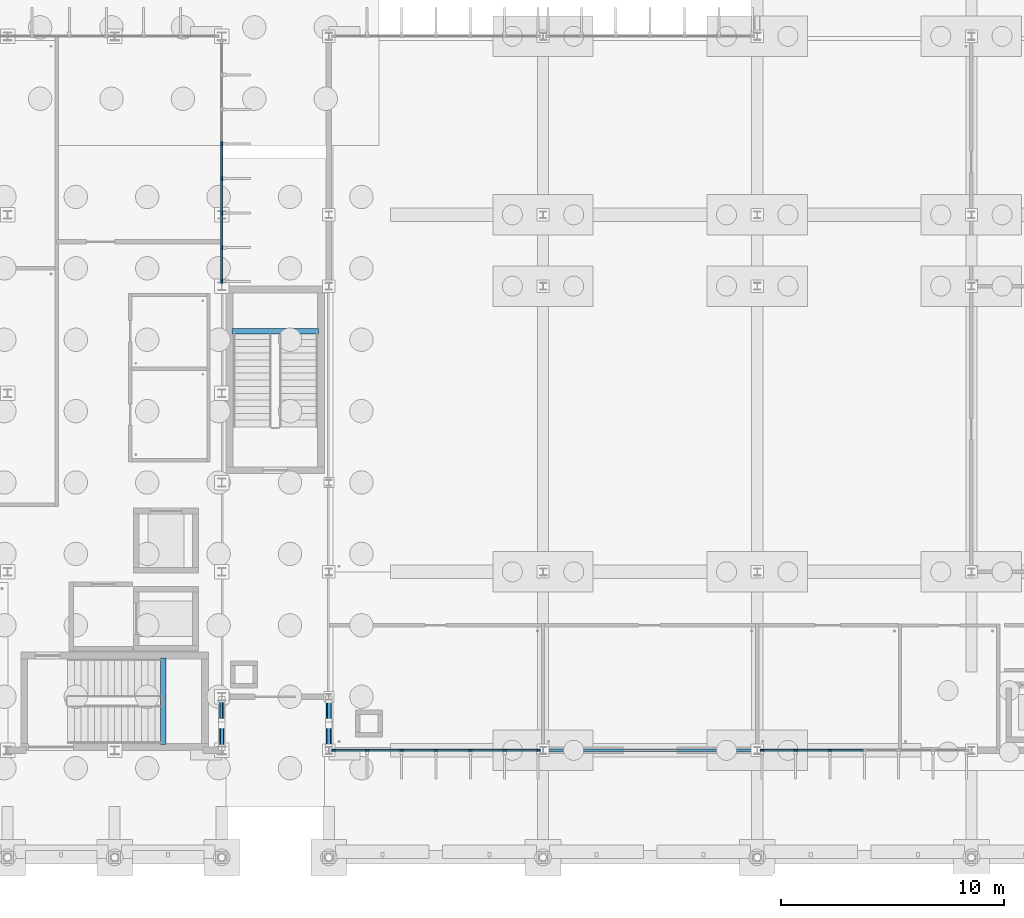
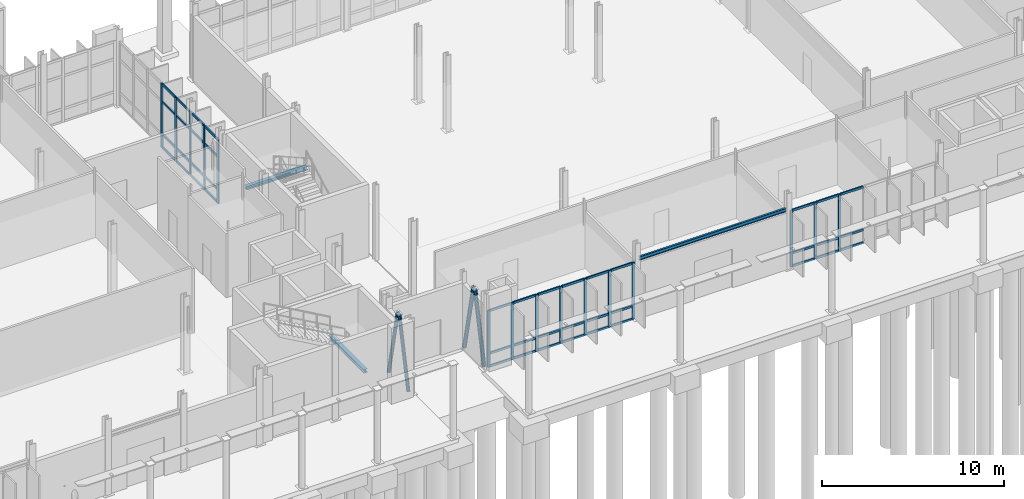
# One storey, part 23 of 111: 62 members, 3 beams, 3 elements without a shape of their own.
"""IFC4 building model written with IfcOpenShell, lengths in metres."""

from ifc_helpers import new_model, si_unit, direction, frame, origin, origin_2d, place, context, subcontext, project, spatial, rectangle, hollow_circle, i_section, extrude, material, material_profile, profile_set, type_object, element, aggregate, save


model = new_model("IFC4")

# Units and contexts
model_context = context("Model", 3, precision=1e-05, world=origin(), true_north=direction((0.0, 1.0)))
body_context = subcontext(model_context, "Body", "Model", "MODEL_VIEW")
ifc_project = project(units=[si_unit("LENGTHUNIT", "METRE"), si_unit("AREAUNIT", "SQUARE_METRE"), si_unit("VOLUMEUNIT", "CUBIC_METRE"), si_unit("PLANEANGLEUNIT", "RADIAN"), si_unit("MASSUNIT", "GRAM", prefix="KILO")], contexts=[model_context])

# Site, building, storey
site_placement = place(None, origin())
site = spatial("IfcSite", under=ifc_project, at=site_placement, CompositionType="ELEMENT")
building_placement = place(site_placement, origin())
building = spatial("IfcBuilding", under=site, at=building_placement, Name="Dunescarp Central Library", CompositionType="ELEMENT")
storey_placement = place(building_placement, origin())
storey = spatial("IfcBuildingStorey", under=building, at=storey_placement, Name="L00", CompositionType="ELEMENT", Elevation=0.0)

# Curtain wall, members
ifc_material_1 = material(Name="Marine-grade anodised aluminium 6063-T6", Category="aluminium")
curtain_wall_type = type_object("IfcCurtainWallType", Name="ARC-CW-STICK", PredefinedType="NOTDEFINED", material=ifc_material_1)
curtain_wall_1_placement = place(storey_placement, origin())
curtain_wall_1 = element("IfcCurtainWall", 1, at=curtain_wall_1_placement, inside=storey, type_object=curtain_wall_type, Name="L00 curtain wall CW-V1-005", PredefinedType="NOTDEFINED")
ifc_material_profile_1 = material_profile(ifc_material_1, rectangle(XDim=0.080078125, YDim=0.179931640625, at=origin_2d()), Name="AL 80x180")
ifc_profile_set_1 = profile_set([ifc_material_profile_1], Name="Marine-grade anodised aluminium 6063-T6")
member_type_1 = type_object("IfcMemberType", Name="ARC-CWM-180", PredefinedType="MULLION", material=ifc_profile_set_1)
member_1_placement = place(storey_placement, frame((33.60009765625, 31.97509765625, 0.0), z_axis=(0.0, 0.0, 1.0), x_axis=(1.0, 0.0, 0.0)))
member_1 = element("IfcMember", 2, at=member_1_placement, type_object=member_type_1, Name="CW-V1-005 mullion 4", PredefinedType="MULLION", context=body_context, shape_type="SweptSolid", body=[
    extrude(rectangle(XDim=0.080078125, YDim=0.179931640625, at=origin_2d()), origin(), (0.0, 0.0, 1.0), 4.304931640625),
])
member_2_placement = place(storey_placement, frame((33.60009765625, 30.425048828125, 0.0), z_axis=(0.0, 0.0, 1.0), x_axis=(1.0, 0.0, 0.0)))
member_2 = element("IfcMember", 3, at=member_2_placement, type_object=member_type_1, Name="CW-V1-005 mullion 5", PredefinedType="MULLION", context=body_context, shape_type="SweptSolid", body=[
    extrude(rectangle(XDim=0.080078125, YDim=0.179931640625, at=origin_2d()), origin(), (0.0, 0.0, 1.0), 4.304931640625),
])
member_3_placement = place(storey_placement, frame((33.60009765625, 28.875, 0.0), z_axis=(0.0, 0.0, 1.0), x_axis=(1.0, 0.0, 0.0)))
member_3 = element("IfcMember", 4, at=member_3_placement, type_object=member_type_1, Name="CW-V1-005 mullion 6", PredefinedType="MULLION", context=body_context, shape_type="SweptSolid", body=[
    extrude(rectangle(XDim=0.080078125, YDim=0.179931640625, at=origin_2d()), origin(), (0.0, 0.0, 1.0), 4.304931640625),
])
member_4_placement = place(storey_placement, frame((33.60009765625, 27.324951171875, 0.0), z_axis=(0.0, 0.0, 1.0), x_axis=(1.0, 0.0, 0.0)))
member_4 = element("IfcMember", 5, at=member_4_placement, type_object=member_type_1, Name="CW-V1-005 mullion 7", PredefinedType="MULLION", context=body_context, shape_type="SweptSolid", body=[
    extrude(rectangle(XDim=0.080078125, YDim=0.179931640625, at=origin_2d()), origin(), (0.0, 0.0, 1.0), 4.304931640625),
])
member_5_placement = place(storey_placement, frame((33.60009765625, 25.81494140625, 0.0), z_axis=(0.0, 0.0, 1.0), x_axis=(1.0, 0.0, 0.0)))
member_5 = element("IfcMember", 6, at=member_5_placement, type_object=member_type_1, Name="CW-V1-005 mullion 8", PredefinedType="MULLION", context=body_context, shape_type="SweptSolid", body=[
    extrude(rectangle(XDim=0.080078125, YDim=0.179931640625, at=origin_2d()), origin(), (0.0, 0.0, 1.0), 4.304931640625),
])

curtain_wall_2_placement = place(storey_placement, origin())
curtain_wall_2 = element("IfcCurtainWall", 7, at=curtain_wall_2_placement, inside=storey, type_object=curtain_wall_type, Name="L00 curtain wall CW-V2-044", PredefinedType="NOTDEFINED")
member_6_placement = place(storey_placement, frame((47.784912109375, 4.800048828125, 0.0), z_axis=(0.0, 0.0, 1.0), x_axis=(0.0, -1.0, 0.0)))
member_6 = element("IfcMember", 8, at=member_6_placement, type_object=member_type_1, Name="CW-V2-044 mullion 1", PredefinedType="MULLION", context=body_context, shape_type="SweptSolid", body=[
    extrude(rectangle(XDim=0.080078125, YDim=0.179931640625, at=origin_2d()), origin(), (0.0, 0.0, 1.0), 3.804931640625),
])
member_7_placement = place(storey_placement, frame((46.283447265625, 4.800048828125, 0.0), z_axis=(0.0, 0.0, 1.0), x_axis=(0.0, -1.0, 0.0)))
member_7 = element("IfcMember", 9, at=member_7_placement, type_object=member_type_1, Name="CW-V2-044 mullion 2", PredefinedType="MULLION", context=body_context, shape_type="SweptSolid", body=[
    extrude(rectangle(XDim=0.080078125, YDim=0.179931640625, at=origin_2d()), origin(), (0.0, 0.0, 1.0), 3.804931640625),
])
member_8_placement = place(storey_placement, frame((44.74169921875, 4.800048828125, 0.0), z_axis=(0.0, 0.0, 1.0), x_axis=(0.0, -1.0, 0.0)))
member_8 = element("IfcMember", 10, at=member_8_placement, type_object=member_type_1, Name="CW-V2-044 mullion 3", PredefinedType="MULLION", context=body_context, shape_type="SweptSolid", body=[
    extrude(rectangle(XDim=0.080078125, YDim=0.179931640625, at=origin_2d()), origin(), (0.0, 0.0, 1.0), 3.804931640625),
])
member_9_placement = place(storey_placement, frame((43.199951171875, 4.800048828125, 0.0), z_axis=(0.0, 0.0, 1.0), x_axis=(0.0, -1.0, 0.0)))
member_9 = element("IfcMember", 11, at=member_9_placement, type_object=member_type_1, Name="CW-V2-044 mullion 4", PredefinedType="MULLION", context=body_context, shape_type="SweptSolid", body=[
    extrude(rectangle(XDim=0.080078125, YDim=0.179931640625, at=origin_2d()), origin(), (0.0, 0.0, 1.0), 3.804931640625),
])
member_10_placement = place(storey_placement, frame((41.658447265625, 4.800048828125, 0.0), z_axis=(0.0, 0.0, 1.0), x_axis=(0.0, -1.0, 0.0)))
member_10 = element("IfcMember", 12, at=member_10_placement, type_object=member_type_1, Name="CW-V2-044 mullion 5", PredefinedType="MULLION", context=body_context, shape_type="SweptSolid", body=[
    extrude(rectangle(XDim=0.080078125, YDim=0.179931640625, at=origin_2d()), origin(), (0.0, 0.0, 1.0), 3.804931640625),
])
member_11_placement = place(storey_placement, frame((40.11669921875, 4.800048828125, 0.0), z_axis=(0.0, 0.0, 1.0), x_axis=(0.0, -1.0, 0.0)))
member_11 = element("IfcMember", 13, at=member_11_placement, type_object=member_type_1, Name="CW-V2-044 mullion 6", PredefinedType="MULLION", context=body_context, shape_type="SweptSolid", body=[
    extrude(rectangle(XDim=0.080078125, YDim=0.179931640625, at=origin_2d()), origin(), (0.0, 0.0, 1.0), 3.804931640625),
])
member_12_placement = place(storey_placement, frame((38.614990234375, 4.800048828125, 0.0), z_axis=(0.0, 0.0, 1.0), x_axis=(0.0, -1.0, 0.0)))
member_12 = element("IfcMember", 14, at=member_12_placement, type_object=member_type_1, Name="CW-V2-044 mullion 7", PredefinedType="MULLION", context=body_context, shape_type="SweptSolid", body=[
    extrude(rectangle(XDim=0.080078125, YDim=0.179931640625, at=origin_2d()), origin(), (0.0, 0.0, 1.0), 3.804931640625),
])

curtain_wall_3_placement = place(storey_placement, origin())
curtain_wall_3 = element("IfcCurtainWall", 15, at=curtain_wall_3_placement, inside=storey, type_object=curtain_wall_type, Name="L00 curtain wall CW-V2-045", PredefinedType="NOTDEFINED")
member_13_placement = place(storey_placement, frame((60.8583984375, 4.800048828125, 0.0), z_axis=(0.0, 0.0, 1.0), x_axis=(0.0, -1.0, 0.0)))
member_13 = element("IfcMember", 16, at=member_13_placement, type_object=member_type_1, Name="CW-V2-045 mullion 5", PredefinedType="MULLION", context=body_context, shape_type="SweptSolid", body=[
    extrude(rectangle(XDim=0.080078125, YDim=0.179931640625, at=origin_2d()), origin(), (0.0, 0.0, 1.0), 3.804931640625),
])
member_14_placement = place(storey_placement, frame((59.316650390625, 4.800048828125, 0.0), z_axis=(0.0, 0.0, 1.0), x_axis=(0.0, -1.0, 0.0)))
member_14 = element("IfcMember", 17, at=member_14_placement, type_object=member_type_1, Name="CW-V2-045 mullion 6", PredefinedType="MULLION", context=body_context, shape_type="SweptSolid", body=[
    extrude(rectangle(XDim=0.080078125, YDim=0.179931640625, at=origin_2d()), origin(), (0.0, 0.0, 1.0), 3.804931640625),
])
member_15_placement = place(storey_placement, frame((57.81494140625, 4.800048828125, 0.0), z_axis=(0.0, 0.0, 1.0), x_axis=(0.0, -1.0, 0.0)))
member_15 = element("IfcMember", 18, at=member_15_placement, type_object=member_type_1, Name="CW-V2-045 mullion 7", PredefinedType="MULLION", context=body_context, shape_type="SweptSolid", body=[
    extrude(rectangle(XDim=0.080078125, YDim=0.179931640625, at=origin_2d()), origin(), (0.0, 0.0, 1.0), 3.804931640625),
])

# Member
ifc_material_profile_2 = material_profile(ifc_material_1, rectangle(XDim=0.080078125, YDim=0.14990234375, at=origin_2d()), Name="AL 80x150")
ifc_profile_set_2 = profile_set([ifc_material_profile_2], Name="Marine-grade anodised aluminium 6063-T6")
member_type_2 = type_object("IfcMemberType", Name="ARC-CWT-150", PredefinedType="USERDEFINED", material=ifc_profile_set_2)
member_16_placement = place(storey_placement, frame((33.60009765625, 31.93505859375, 0.0400390625), z_axis=(0.0, -1.0, 0.0), x_axis=(1.0, 0.0, 0.0)))
member_16 = element("IfcMember", 19, at=member_16_placement, type_object=member_type_2, Name="CW-V1-005 transom 4.1", ObjectType="TRANSOM", PredefinedType="USERDEFINED", context=body_context, shape_type="SweptSolid", body=[
    extrude(rectangle(XDim=0.080078125, YDim=0.14990234375, at=origin_2d()), origin(), (0.0, 0.0, 1.0), 1.469970703125),
])

member_17_placement = place(storey_placement, frame((33.60009765625, 31.93505859375, 0.89990234375), z_axis=(0.0, -1.0, 0.0), x_axis=(1.0, 0.0, 0.0)))
member_17 = element("IfcMember", 20, at=member_17_placement, type_object=member_type_2, Name="CW-V1-005 transom 4.2", ObjectType="TRANSOM", PredefinedType="USERDEFINED", context=body_context, shape_type="SweptSolid", body=[
    extrude(rectangle(XDim=0.080078125, YDim=0.14990234375, at=origin_2d()), origin(), (0.0, 0.0, 1.0), 1.469970703125),
])

member_18_placement = place(storey_placement, frame((33.60009765625, 31.93505859375, 3.10009765625), z_axis=(0.0, -1.0, 0.0), x_axis=(1.0, 0.0, 0.0)))
member_18 = element("IfcMember", 21, at=member_18_placement, type_object=member_type_2, Name="CW-V1-005 transom 4.3", ObjectType="TRANSOM", PredefinedType="USERDEFINED", context=body_context, shape_type="SweptSolid", body=[
    extrude(rectangle(XDim=0.080078125, YDim=0.14990234375, at=origin_2d()), origin(), (0.0, 0.0, 1.0), 1.469970703125),
])

member_19_placement = place(storey_placement, frame((33.60009765625, 31.93505859375, 4.264892578125), z_axis=(0.0, -1.0, 0.0), x_axis=(1.0, 0.0, 0.0)))
member_19 = element("IfcMember", 22, at=member_19_placement, type_object=member_type_2, Name="CW-V1-005 transom 4.4", ObjectType="TRANSOM", PredefinedType="USERDEFINED", context=body_context, shape_type="SweptSolid", body=[
    extrude(rectangle(XDim=0.080078125, YDim=0.14990234375, at=origin_2d()), origin(), (0.0, 0.0, 1.0), 1.469970703125),
])

member_20_placement = place(storey_placement, frame((33.60009765625, 30.385009765625, 0.0400390625), z_axis=(0.0, -1.0, 0.0), x_axis=(1.0, 0.0, 0.0)))
member_20 = element("IfcMember", 23, at=member_20_placement, type_object=member_type_2, Name="CW-V1-005 transom 5.1", ObjectType="TRANSOM", PredefinedType="USERDEFINED", context=body_context, shape_type="SweptSolid", body=[
    extrude(rectangle(XDim=0.080078125, YDim=0.14990234375, at=origin_2d()), origin(), (0.0, 0.0, 1.0), 1.469970703125),
])

member_21_placement = place(storey_placement, frame((33.60009765625, 30.385009765625, 0.89990234375), z_axis=(0.0, -1.0, 0.0), x_axis=(1.0, 0.0, 0.0)))
member_21 = element("IfcMember", 24, at=member_21_placement, type_object=member_type_2, Name="CW-V1-005 transom 5.2", ObjectType="TRANSOM", PredefinedType="USERDEFINED", context=body_context, shape_type="SweptSolid", body=[
    extrude(rectangle(XDim=0.080078125, YDim=0.14990234375, at=origin_2d()), origin(), (0.0, 0.0, 1.0), 1.469970703125),
])

member_22_placement = place(storey_placement, frame((33.60009765625, 30.385009765625, 3.10009765625), z_axis=(0.0, -1.0, 0.0), x_axis=(1.0, 0.0, 0.0)))
member_22 = element("IfcMember", 25, at=member_22_placement, type_object=member_type_2, Name="CW-V1-005 transom 5.3", ObjectType="TRANSOM", PredefinedType="USERDEFINED", context=body_context, shape_type="SweptSolid", body=[
    extrude(rectangle(XDim=0.080078125, YDim=0.14990234375, at=origin_2d()), origin(), (0.0, 0.0, 1.0), 1.469970703125),
])

member_23_placement = place(storey_placement, frame((33.60009765625, 30.385009765625, 4.264892578125), z_axis=(0.0, -1.0, 0.0), x_axis=(1.0, 0.0, 0.0)))
member_23 = element("IfcMember", 26, at=member_23_placement, type_object=member_type_2, Name="CW-V1-005 transom 5.4", ObjectType="TRANSOM", PredefinedType="USERDEFINED", context=body_context, shape_type="SweptSolid", body=[
    extrude(rectangle(XDim=0.080078125, YDim=0.14990234375, at=origin_2d()), origin(), (0.0, 0.0, 1.0), 1.469970703125),
])

member_24_placement = place(storey_placement, frame((33.60009765625, 28.8349609375, 0.0400390625), z_axis=(0.0, -1.0, 0.0), x_axis=(1.0, 0.0, 0.0)))
member_24 = element("IfcMember", 27, at=member_24_placement, type_object=member_type_2, Name="CW-V1-005 transom 6.1", ObjectType="TRANSOM", PredefinedType="USERDEFINED", context=body_context, shape_type="SweptSolid", body=[
    extrude(rectangle(XDim=0.080078125, YDim=0.14990234375, at=origin_2d()), origin(), (0.0, 0.0, 1.0), 1.469970703125),
])

member_25_placement = place(storey_placement, frame((33.60009765625, 28.8349609375, 0.89990234375), z_axis=(0.0, -1.0, 0.0), x_axis=(1.0, 0.0, 0.0)))
member_25 = element("IfcMember", 28, at=member_25_placement, type_object=member_type_2, Name="CW-V1-005 transom 6.2", ObjectType="TRANSOM", PredefinedType="USERDEFINED", context=body_context, shape_type="SweptSolid", body=[
    extrude(rectangle(XDim=0.080078125, YDim=0.14990234375, at=origin_2d()), origin(), (0.0, 0.0, 1.0), 1.469970703125),
])

member_26_placement = place(storey_placement, frame((33.60009765625, 28.8349609375, 3.10009765625), z_axis=(0.0, -1.0, 0.0), x_axis=(1.0, 0.0, 0.0)))
member_26 = element("IfcMember", 29, at=member_26_placement, type_object=member_type_2, Name="CW-V1-005 transom 6.3", ObjectType="TRANSOM", PredefinedType="USERDEFINED", context=body_context, shape_type="SweptSolid", body=[
    extrude(rectangle(XDim=0.080078125, YDim=0.14990234375, at=origin_2d()), origin(), (0.0, 0.0, 1.0), 1.469970703125),
])

member_27_placement = place(storey_placement, frame((33.60009765625, 28.8349609375, 4.264892578125), z_axis=(0.0, -1.0, 0.0), x_axis=(1.0, 0.0, 0.0)))
member_27 = element("IfcMember", 30, at=member_27_placement, type_object=member_type_2, Name="CW-V1-005 transom 6.4", ObjectType="TRANSOM", PredefinedType="USERDEFINED", context=body_context, shape_type="SweptSolid", body=[
    extrude(rectangle(XDim=0.080078125, YDim=0.14990234375, at=origin_2d()), origin(), (0.0, 0.0, 1.0), 1.469970703125),
])

member_28_placement = place(storey_placement, frame((33.60009765625, 27.284912109375, 0.0400390625), z_axis=(0.0, -1.0, 0.0), x_axis=(1.0, 0.0, 0.0)))
member_28 = element("IfcMember", 31, at=member_28_placement, type_object=member_type_2, Name="CW-V1-005 transom 7.1", ObjectType="TRANSOM", PredefinedType="USERDEFINED", context=body_context, shape_type="SweptSolid", body=[
    extrude(rectangle(XDim=0.080078125, YDim=0.14990234375, at=origin_2d()), origin(), (0.0, 0.0, 1.0), 1.429931640625),
])

member_29_placement = place(storey_placement, frame((33.60009765625, 27.284912109375, 0.89990234375), z_axis=(0.0, -1.0, 0.0), x_axis=(1.0, 0.0, 0.0)))
member_29 = element("IfcMember", 32, at=member_29_placement, type_object=member_type_2, Name="CW-V1-005 transom 7.2", ObjectType="TRANSOM", PredefinedType="USERDEFINED", context=body_context, shape_type="SweptSolid", body=[
    extrude(rectangle(XDim=0.080078125, YDim=0.14990234375, at=origin_2d()), origin(), (0.0, 0.0, 1.0), 1.429931640625),
])

member_30_placement = place(storey_placement, frame((33.60009765625, 27.284912109375, 3.10009765625), z_axis=(0.0, -1.0, 0.0), x_axis=(1.0, 0.0, 0.0)))
member_30 = element("IfcMember", 33, at=member_30_placement, type_object=member_type_2, Name="CW-V1-005 transom 7.3", ObjectType="TRANSOM", PredefinedType="USERDEFINED", context=body_context, shape_type="SweptSolid", body=[
    extrude(rectangle(XDim=0.080078125, YDim=0.14990234375, at=origin_2d()), origin(), (0.0, 0.0, 1.0), 1.429931640625),
])

member_31_placement = place(storey_placement, frame((33.60009765625, 27.284912109375, 4.264892578125), z_axis=(0.0, -1.0, 0.0), x_axis=(1.0, 0.0, 0.0)))
member_31 = element("IfcMember", 34, at=member_31_placement, type_object=member_type_2, Name="CW-V1-005 transom 7.4", ObjectType="TRANSOM", PredefinedType="USERDEFINED", context=body_context, shape_type="SweptSolid", body=[
    extrude(rectangle(XDim=0.080078125, YDim=0.14990234375, at=origin_2d()), origin(), (0.0, 0.0, 1.0), 1.429931640625),
])

aggregate(curtain_wall_1, [member_1, member_2, member_3, member_4, member_5, member_16, member_17, member_18, member_19, member_20, member_21, member_22, member_23, member_24, member_25, member_26, member_27, member_28, member_29, member_30, member_31])

member_32_placement = place(storey_placement, frame((47.7451171875, 4.800048828125, 0.0400390625), z_axis=(-1.0, 0.0, 0.0), x_axis=(0.0, -1.0, 0.0)))
member_32 = element("IfcMember", 35, at=member_32_placement, type_object=member_type_2, Name="CW-V2-044 transom 1.1", ObjectType="TRANSOM", PredefinedType="USERDEFINED", context=body_context, shape_type="SweptSolid", body=[
    extrude(rectangle(XDim=0.080078125, YDim=0.14990234375, at=origin_2d()), origin(), (0.0, 0.0, 1.0), 1.421875),
])

member_33_placement = place(storey_placement, frame((47.7451171875, 4.800048828125, 0.89990234375), z_axis=(-1.0, 0.0, 0.0), x_axis=(0.0, -1.0, 0.0)))
member_33 = element("IfcMember", 36, at=member_33_placement, type_object=member_type_2, Name="CW-V2-044 transom 1.2", ObjectType="TRANSOM", PredefinedType="USERDEFINED", context=body_context, shape_type="SweptSolid", body=[
    extrude(rectangle(XDim=0.080078125, YDim=0.14990234375, at=origin_2d()), origin(), (0.0, 0.0, 1.0), 1.421875),
])

member_34_placement = place(storey_placement, frame((47.7451171875, 4.800048828125, 3.764892578125), z_axis=(-1.0, 0.0, 0.0), x_axis=(0.0, -1.0, 0.0)))
member_34 = element("IfcMember", 37, at=member_34_placement, type_object=member_type_2, Name="CW-V2-044 transom 1.3", ObjectType="TRANSOM", PredefinedType="USERDEFINED", context=body_context, shape_type="SweptSolid", body=[
    extrude(rectangle(XDim=0.080078125, YDim=0.14990234375, at=origin_2d()), origin(), (0.0, 0.0, 1.0), 1.421875),
])

member_35_placement = place(storey_placement, frame((46.243408203125, 4.800048828125, 0.0400390625), z_axis=(-1.0, 0.0, 0.0), x_axis=(0.0, -1.0, 0.0)))
member_35 = element("IfcMember", 38, at=member_35_placement, type_object=member_type_2, Name="CW-V2-044 transom 2.1", ObjectType="TRANSOM", PredefinedType="USERDEFINED", context=body_context, shape_type="SweptSolid", body=[
    extrude(rectangle(XDim=0.080078125, YDim=0.14990234375, at=origin_2d()), origin(), (0.0, 0.0, 1.0), 1.461669921875),
])

member_36_placement = place(storey_placement, frame((46.243408203125, 4.800048828125, 0.89990234375), z_axis=(-1.0, 0.0, 0.0), x_axis=(0.0, -1.0, 0.0)))
member_36 = element("IfcMember", 39, at=member_36_placement, type_object=member_type_2, Name="CW-V2-044 transom 2.2", ObjectType="TRANSOM", PredefinedType="USERDEFINED", context=body_context, shape_type="SweptSolid", body=[
    extrude(rectangle(XDim=0.080078125, YDim=0.14990234375, at=origin_2d()), origin(), (0.0, 0.0, 1.0), 1.461669921875),
])

member_37_placement = place(storey_placement, frame((46.243408203125, 4.800048828125, 3.764892578125), z_axis=(-1.0, 0.0, 0.0), x_axis=(0.0, -1.0, 0.0)))
member_37 = element("IfcMember", 40, at=member_37_placement, type_object=member_type_2, Name="CW-V2-044 transom 2.3", ObjectType="TRANSOM", PredefinedType="USERDEFINED", context=body_context, shape_type="SweptSolid", body=[
    extrude(rectangle(XDim=0.080078125, YDim=0.14990234375, at=origin_2d()), origin(), (0.0, 0.0, 1.0), 1.461669921875),
])

member_38_placement = place(storey_placement, frame((44.70166015625, 4.800048828125, 0.0400390625), z_axis=(-1.0, 0.0, 0.0), x_axis=(0.0, -1.0, 0.0)))
member_38 = element("IfcMember", 41, at=member_38_placement, type_object=member_type_2, Name="CW-V2-044 transom 3.1", ObjectType="TRANSOM", PredefinedType="USERDEFINED", context=body_context, shape_type="SweptSolid", body=[
    extrude(rectangle(XDim=0.080078125, YDim=0.14990234375, at=origin_2d()), origin(), (0.0, 0.0, 1.0), 1.461669921875),
])

member_39_placement = place(storey_placement, frame((44.70166015625, 4.800048828125, 0.89990234375), z_axis=(-1.0, 0.0, 0.0), x_axis=(0.0, -1.0, 0.0)))
member_39 = element("IfcMember", 42, at=member_39_placement, type_object=member_type_2, Name="CW-V2-044 transom 3.2", ObjectType="TRANSOM", PredefinedType="USERDEFINED", context=body_context, shape_type="SweptSolid", body=[
    extrude(rectangle(XDim=0.080078125, YDim=0.14990234375, at=origin_2d()), origin(), (0.0, 0.0, 1.0), 1.461669921875),
])

member_40_placement = place(storey_placement, frame((44.70166015625, 4.800048828125, 3.764892578125), z_axis=(-1.0, 0.0, 0.0), x_axis=(0.0, -1.0, 0.0)))
member_40 = element("IfcMember", 43, at=member_40_placement, type_object=member_type_2, Name="CW-V2-044 transom 3.3", ObjectType="TRANSOM", PredefinedType="USERDEFINED", context=body_context, shape_type="SweptSolid", body=[
    extrude(rectangle(XDim=0.080078125, YDim=0.14990234375, at=origin_2d()), origin(), (0.0, 0.0, 1.0), 1.461669921875),
])

member_41_placement = place(storey_placement, frame((43.159912109375, 4.800048828125, 0.0400390625), z_axis=(-1.0, 0.0, 0.0), x_axis=(0.0, -1.0, 0.0)))
member_41 = element("IfcMember", 44, at=member_41_placement, type_object=member_type_2, Name="CW-V2-044 transom 4.1", ObjectType="TRANSOM", PredefinedType="USERDEFINED", context=body_context, shape_type="SweptSolid", body=[
    extrude(rectangle(XDim=0.080078125, YDim=0.14990234375, at=origin_2d()), origin(), (0.0, 0.0, 1.0), 1.461669921875),
])

member_42_placement = place(storey_placement, frame((43.159912109375, 4.800048828125, 0.89990234375), z_axis=(-1.0, 0.0, 0.0), x_axis=(0.0, -1.0, 0.0)))
member_42 = element("IfcMember", 45, at=member_42_placement, type_object=member_type_2, Name="CW-V2-044 transom 4.2", ObjectType="TRANSOM", PredefinedType="USERDEFINED", context=body_context, shape_type="SweptSolid", body=[
    extrude(rectangle(XDim=0.080078125, YDim=0.14990234375, at=origin_2d()), origin(), (0.0, 0.0, 1.0), 1.461669921875),
])

member_43_placement = place(storey_placement, frame((43.159912109375, 4.800048828125, 3.764892578125), z_axis=(-1.0, 0.0, 0.0), x_axis=(0.0, -1.0, 0.0)))
member_43 = element("IfcMember", 46, at=member_43_placement, type_object=member_type_2, Name="CW-V2-044 transom 4.3", ObjectType="TRANSOM", PredefinedType="USERDEFINED", context=body_context, shape_type="SweptSolid", body=[
    extrude(rectangle(XDim=0.080078125, YDim=0.14990234375, at=origin_2d()), origin(), (0.0, 0.0, 1.0), 1.461669921875),
])

member_44_placement = place(storey_placement, frame((41.618408203125, 4.800048828125, 0.0400390625), z_axis=(-1.0, 0.0, 0.0), x_axis=(0.0, -1.0, 0.0)))
member_44 = element("IfcMember", 47, at=member_44_placement, type_object=member_type_2, Name="CW-V2-044 transom 5.1", ObjectType="TRANSOM", PredefinedType="USERDEFINED", context=body_context, shape_type="SweptSolid", body=[
    extrude(rectangle(XDim=0.080078125, YDim=0.14990234375, at=origin_2d()), origin(), (0.0, 0.0, 1.0), 1.461669921875),
])

member_45_placement = place(storey_placement, frame((41.618408203125, 4.800048828125, 0.89990234375), z_axis=(-1.0, 0.0, 0.0), x_axis=(0.0, -1.0, 0.0)))
member_45 = element("IfcMember", 48, at=member_45_placement, type_object=member_type_2, Name="CW-V2-044 transom 5.2", ObjectType="TRANSOM", PredefinedType="USERDEFINED", context=body_context, shape_type="SweptSolid", body=[
    extrude(rectangle(XDim=0.080078125, YDim=0.14990234375, at=origin_2d()), origin(), (0.0, 0.0, 1.0), 1.461669921875),
])

member_46_placement = place(storey_placement, frame((41.618408203125, 4.800048828125, 3.764892578125), z_axis=(-1.0, 0.0, 0.0), x_axis=(0.0, -1.0, 0.0)))
member_46 = element("IfcMember", 49, at=member_46_placement, type_object=member_type_2, Name="CW-V2-044 transom 5.3", ObjectType="TRANSOM", PredefinedType="USERDEFINED", context=body_context, shape_type="SweptSolid", body=[
    extrude(rectangle(XDim=0.080078125, YDim=0.14990234375, at=origin_2d()), origin(), (0.0, 0.0, 1.0), 1.461669921875),
])

member_47_placement = place(storey_placement, frame((40.07666015625, 4.800048828125, 0.0400390625), z_axis=(-1.0, 0.0, 0.0), x_axis=(0.0, -1.0, 0.0)))
member_47 = element("IfcMember", 50, at=member_47_placement, type_object=member_type_2, Name="CW-V2-044 transom 6.1", ObjectType="TRANSOM", PredefinedType="USERDEFINED", context=body_context, shape_type="SweptSolid", body=[
    extrude(rectangle(XDim=0.080078125, YDim=0.14990234375, at=origin_2d()), origin(), (0.0, 0.0, 1.0), 1.421630859375),
])

member_48_placement = place(storey_placement, frame((40.07666015625, 4.800048828125, 0.89990234375), z_axis=(-1.0, 0.0, 0.0), x_axis=(0.0, -1.0, 0.0)))
member_48 = element("IfcMember", 51, at=member_48_placement, type_object=member_type_2, Name="CW-V2-044 transom 6.2", ObjectType="TRANSOM", PredefinedType="USERDEFINED", context=body_context, shape_type="SweptSolid", body=[
    extrude(rectangle(XDim=0.080078125, YDim=0.14990234375, at=origin_2d()), origin(), (0.0, 0.0, 1.0), 1.421630859375),
])

member_49_placement = place(storey_placement, frame((40.07666015625, 4.800048828125, 3.764892578125), z_axis=(-1.0, 0.0, 0.0), x_axis=(0.0, -1.0, 0.0)))
member_49 = element("IfcMember", 52, at=member_49_placement, type_object=member_type_2, Name="CW-V2-044 transom 6.3", ObjectType="TRANSOM", PredefinedType="USERDEFINED", context=body_context, shape_type="SweptSolid", body=[
    extrude(rectangle(XDim=0.080078125, YDim=0.14990234375, at=origin_2d()), origin(), (0.0, 0.0, 1.0), 1.421630859375),
])

aggregate(curtain_wall_2, [member_6, member_7, member_8, member_9, member_10, member_11, member_12, member_32, member_33, member_34, member_35, member_36, member_37, member_38, member_39, member_40, member_41, member_42, member_43, member_44, member_45, member_46, member_47, member_48, member_49])

member_50_placement = place(storey_placement, frame((62.360107421875, 4.800048828125, 0.0400390625), z_axis=(-1.0, 0.0, 0.0), x_axis=(0.0, -1.0, 0.0)))
member_50 = element("IfcMember", 53, at=member_50_placement, type_object=member_type_2, Name="CW-V2-045 transom 4.1", ObjectType="TRANSOM", PredefinedType="USERDEFINED", context=body_context, shape_type="SweptSolid", body=[
    extrude(rectangle(XDim=0.080078125, YDim=0.14990234375, at=origin_2d()), origin(), (0.0, 0.0, 1.0), 1.461669921875),
])

member_51_placement = place(storey_placement, frame((62.360107421875, 4.800048828125, 0.89990234375), z_axis=(-1.0, 0.0, 0.0), x_axis=(0.0, -1.0, 0.0)))
member_51 = element("IfcMember", 54, at=member_51_placement, type_object=member_type_2, Name="CW-V2-045 transom 4.2", ObjectType="TRANSOM", PredefinedType="USERDEFINED", context=body_context, shape_type="SweptSolid", body=[
    extrude(rectangle(XDim=0.080078125, YDim=0.14990234375, at=origin_2d()), origin(), (0.0, 0.0, 1.0), 1.461669921875),
])

member_52_placement = place(storey_placement, frame((62.360107421875, 4.800048828125, 3.764892578125), z_axis=(-1.0, 0.0, 0.0), x_axis=(0.0, -1.0, 0.0)))
member_52 = element("IfcMember", 55, at=member_52_placement, type_object=member_type_2, Name="CW-V2-045 transom 4.3", ObjectType="TRANSOM", PredefinedType="USERDEFINED", context=body_context, shape_type="SweptSolid", body=[
    extrude(rectangle(XDim=0.080078125, YDim=0.14990234375, at=origin_2d()), origin(), (0.0, 0.0, 1.0), 1.461669921875),
])

member_53_placement = place(storey_placement, frame((60.818359375, 4.800048828125, 0.0400390625), z_axis=(-1.0, 0.0, 0.0), x_axis=(0.0, -1.0, 0.0)))
member_53 = element("IfcMember", 56, at=member_53_placement, type_object=member_type_2, Name="CW-V2-045 transom 5.1", ObjectType="TRANSOM", PredefinedType="USERDEFINED", context=body_context, shape_type="SweptSolid", body=[
    extrude(rectangle(XDim=0.080078125, YDim=0.14990234375, at=origin_2d()), origin(), (0.0, 0.0, 1.0), 1.461669921875),
])

member_54_placement = place(storey_placement, frame((60.818359375, 4.800048828125, 0.89990234375), z_axis=(-1.0, 0.0, 0.0), x_axis=(0.0, -1.0, 0.0)))
member_54 = element("IfcMember", 57, at=member_54_placement, type_object=member_type_2, Name="CW-V2-045 transom 5.2", ObjectType="TRANSOM", PredefinedType="USERDEFINED", context=body_context, shape_type="SweptSolid", body=[
    extrude(rectangle(XDim=0.080078125, YDim=0.14990234375, at=origin_2d()), origin(), (0.0, 0.0, 1.0), 1.461669921875),
])

member_55_placement = place(storey_placement, frame((60.818359375, 4.800048828125, 3.764892578125), z_axis=(-1.0, 0.0, 0.0), x_axis=(0.0, -1.0, 0.0)))
member_55 = element("IfcMember", 58, at=member_55_placement, type_object=member_type_2, Name="CW-V2-045 transom 5.3", ObjectType="TRANSOM", PredefinedType="USERDEFINED", context=body_context, shape_type="SweptSolid", body=[
    extrude(rectangle(XDim=0.080078125, YDim=0.14990234375, at=origin_2d()), origin(), (0.0, 0.0, 1.0), 1.461669921875),
])

member_56_placement = place(storey_placement, frame((59.276611328125, 4.800048828125, 0.0400390625), z_axis=(-1.0, 0.0, 0.0), x_axis=(0.0, -1.0, 0.0)))
member_56 = element("IfcMember", 59, at=member_56_placement, type_object=member_type_2, Name="CW-V2-045 transom 6.1", ObjectType="TRANSOM", PredefinedType="USERDEFINED", context=body_context, shape_type="SweptSolid", body=[
    extrude(rectangle(XDim=0.080078125, YDim=0.14990234375, at=origin_2d()), origin(), (0.0, 0.0, 1.0), 1.421630859375),
])

member_57_placement = place(storey_placement, frame((59.276611328125, 4.800048828125, 0.89990234375), z_axis=(-1.0, 0.0, 0.0), x_axis=(0.0, -1.0, 0.0)))
member_57 = element("IfcMember", 60, at=member_57_placement, type_object=member_type_2, Name="CW-V2-045 transom 6.2", ObjectType="TRANSOM", PredefinedType="USERDEFINED", context=body_context, shape_type="SweptSolid", body=[
    extrude(rectangle(XDim=0.080078125, YDim=0.14990234375, at=origin_2d()), origin(), (0.0, 0.0, 1.0), 1.421630859375),
])

member_58_placement = place(storey_placement, frame((59.276611328125, 4.800048828125, 3.764892578125), z_axis=(-1.0, 0.0, 0.0), x_axis=(0.0, -1.0, 0.0)))
member_58 = element("IfcMember", 61, at=member_58_placement, type_object=member_type_2, Name="CW-V2-045 transom 6.3", ObjectType="TRANSOM", PredefinedType="USERDEFINED", context=body_context, shape_type="SweptSolid", body=[
    extrude(rectangle(XDim=0.080078125, YDim=0.14990234375, at=origin_2d()), origin(), (0.0, 0.0, 1.0), 1.421630859375),
])

aggregate(curtain_wall_3, [member_13, member_14, member_15, member_50, member_51, member_52, member_53, member_54, member_55, member_56, member_57, member_58])

# Members
ifc_material_2 = material(Name="Steel S355J0", Category="steel")
ifc_material_profile_3 = material_profile(ifc_material_2, hollow_circle(Radius=0.109619140625, WallThickness=0.010009765625, at=origin_2d()), Name="CHS 219.1x10")
ifc_profile_set_3 = profile_set([ifc_material_profile_3], Name="Steel S355J0")
member_type_3 = type_object("IfcMemberType", Name="STR-BR-219", PredefinedType="BRACE", material=ifc_profile_set_3)
for number, where, z_axis, x_axis, name in (
    (62, (33.60009765625, 4.919921875, 0.044921875), (0.0, 0.212651644533, 0.977128076599), (-1.0, 0.0, 0.0), "L00 concentric brace BR-L00-001"),
    (63, (33.60009765625, 7.080078125, 0.044921875), (0.0, -0.212651644533, 0.977128076599), (1.0, 0.0, 0.0), "L00 concentric brace BR-L00-002"),
):
    element("IfcMember", number, at=place(storey_placement, frame(where, z_axis=z_axis, x_axis=x_axis)), inside=storey, type_object=member_type_3, Name=name, PredefinedType="BRACE", context=body_context, shape_type="SweptSolid", body=[
        extrude(hollow_circle(Radius=0.109619140625, WallThickness=0.010009765625, at=origin_2d()), origin(), (0.0, 0.0, 1.0), 4.70263671875),
    ])
ifc_material_profile_4 = material_profile(ifc_material_2, hollow_circle(Radius=0.122314453125, WallThickness=0.010009765625, at=origin_2d()), Name="CHS 244.5x10")
ifc_profile_set_4 = profile_set([ifc_material_profile_4], Name="Steel S355J0")
member_type_4 = type_object("IfcMemberType", Name="STR-BR-244", PredefinedType="BRACE", material=ifc_profile_set_4)
for number, where, z_axis, x_axis, name in (
    (64, (38.39990234375, 4.919921875, 0.044921875), (0.0, 0.212651644533, 0.977128076599), (-1.0, 0.0, 0.0), "L00 concentric brace BR-L00-013"),
    (65, (38.39990234375, 7.080078125, 0.044921875), (0.0, -0.212651644533, 0.977128076599), (1.0, 0.0, 0.0), "L00 concentric brace BR-L00-014"),
):
    element("IfcMember", number, at=place(storey_placement, frame(where, z_axis=z_axis, x_axis=x_axis)), inside=storey, type_object=member_type_4, Name=name, PredefinedType="BRACE", context=body_context, shape_type="SweptSolid", body=[
        extrude(hollow_circle(Radius=0.122314453125, WallThickness=0.010009765625, at=origin_2d()), origin(), (0.0, 0.0, 1.0), 4.70263671875),
    ])

# Beams
ifc_material_3 = material(Name="Steel S355JR", Category="steel")
ifc_material_profile_5 = material_profile(ifc_material_3, i_section(OverallWidth=0.239990234375, OverallDepth=0.22998046875, WebThickness=0.007568359375, FlangeThickness=0.011962890625, at=origin_2d()), Name="HEA 240")
ifc_profile_set_5 = profile_set([ifc_material_profile_5], Name="Steel S355JR")
beam_type_1 = type_object("IfcBeamType", Name="STR-JS-HEA240", PredefinedType="JOIST", material=ifc_profile_set_5)
for number, where, z_axis, x_axis, name in (
    (66, (30.97998046875, 5.06005859375, 2.235107421875), (0.0, 1.0, 0.0), (-1.0, 0.0, 0.0), "L00 ST-1 landing trimmer beam BM-ST-001"),
    (67, (34.06005859375, 23.580078125, 2.235107421875), (1.0, 0.0, 0.0), (0.0, 1.0, 0.0), "L00 ST-2 landing trimmer beam BM-ST-013"),
):
    element("IfcBeam", number, at=place(storey_placement, frame(where, z_axis=z_axis, x_axis=x_axis)), inside=storey, type_object=beam_type_1, Name=name, PredefinedType="BEAM", context=body_context, shape_type="SweptSolid", body=[
        extrude(i_section(OverallWidth=0.239990234375, OverallDepth=0.22998046875, WebThickness=0.007568359375, FlangeThickness=0.011962890625, at=origin_2d()), origin(), (0.0, 0.0, 1.0), 3.8798828125),
    ])
ifc_material_profile_6 = material_profile(ifc_material_3, i_section(OverallWidth=0.1201171875, OverallDepth=0.239990234375, WebThickness=0.006103515625, FlangeThickness=0.009765625, at=origin_2d()), Name="IPE 240")
ifc_profile_set_6 = profile_set([ifc_material_profile_6], Name="Steel S355JR")
beam_type_2 = type_object("IfcBeamType", Name="STR-LN-IPE240", PredefinedType="LINTEL", material=ifc_profile_set_6)
beam_placement = place(storey_placement, frame((48.14697265625, 4.800048828125, 3.949951171875), z_axis=(1.0, 0.0, 0.0), x_axis=(0.0, 1.0, 0.0)))
element("IfcBeam", 68, at=beam_placement, inside=storey, type_object=beam_type_2, Name="L00 structural lintel LN-L00-06", PredefinedType="LINTEL", context=body_context, shape_type="SweptSolid", body=[
    extrude(i_section(OverallWidth=0.1201171875, OverallDepth=0.239990234375, WebThickness=0.006103515625, FlangeThickness=0.009765625, at=origin_2d()), origin(), (0.0, 0.0, 1.0), 9.305908203125),
])

save(model, "model.ifc")
